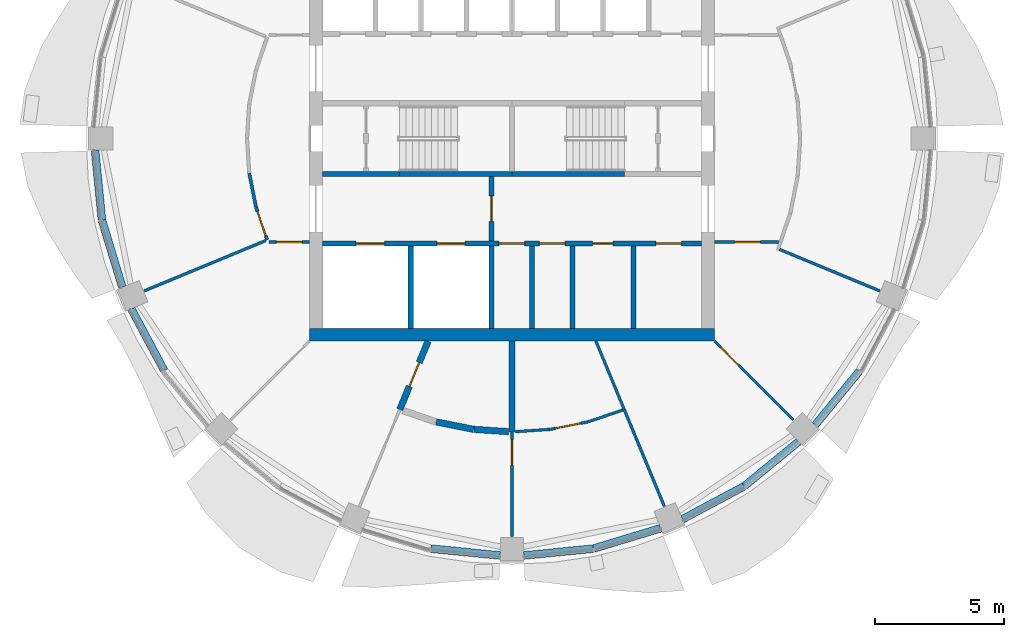
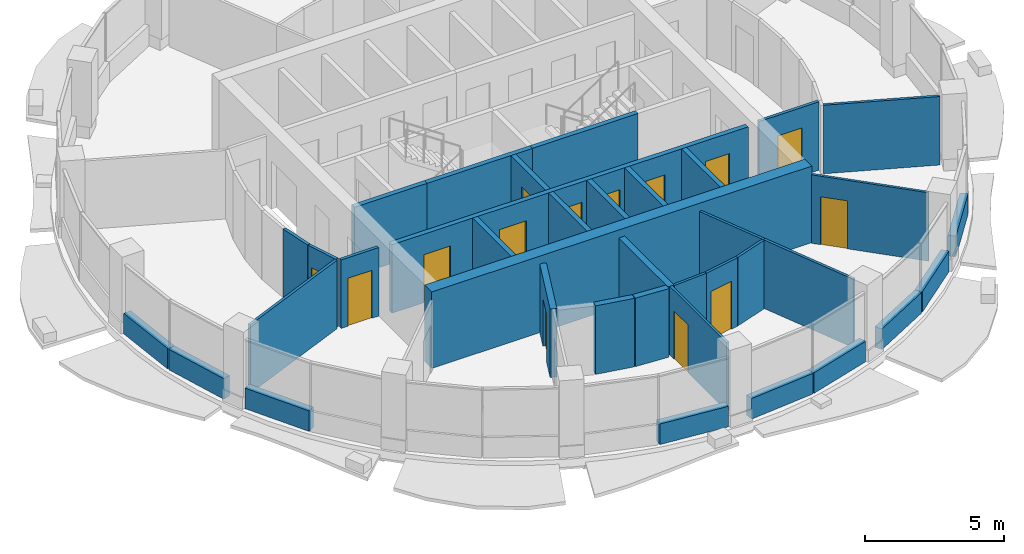
# One storey, part 8 of 15: 37 walls, 14 doors, 14 openings.
"""IFC4 building model written with IfcOpenShell, lengths in metres."""

from ifc_helpers import new_model, si_unit, direction, frame, frame_2d, origin, place, context, subcontext, project, spatial, rectangle, extrude, material, layer, layer_set, type_object, element, fill, save


model = new_model("IFC4")

# Units and contexts
model_context = context("Model", 3, precision=1e-05, world=origin(), true_north=direction((0.0, 1.0)))
body_context = subcontext(model_context, "Body", "Model", "MODEL_VIEW")
ifc_project = project(units=[si_unit("LENGTHUNIT", "METRE"), si_unit("AREAUNIT", "SQUARE_METRE"), si_unit("VOLUMEUNIT", "CUBIC_METRE"), si_unit("PLANEANGLEUNIT", "RADIAN"), si_unit("MASSUNIT", "GRAM", prefix="KILO")], contexts=[model_context])

# Site, building, storey
site_placement = place(None, origin())
site = spatial("IfcSite", under=ifc_project, at=site_placement, CompositionType="ELEMENT")
building_placement = place(site_placement, origin())
building = spatial("IfcBuilding", under=site, at=building_placement, Name="Polderwave Tower", CompositionType="ELEMENT")
storey_placement = place(building_placement, frame((0.0, 0.0, 207.75)))
storey = spatial("IfcBuildingStorey", under=building, at=storey_placement, Name="L56", CompositionType="ELEMENT", Elevation=207.75)

# Walls
ifc_material_1 = material(Name="Concrete C60/75", Category="concrete")
ifc_layer_1 = layer(ifc_material_1, 0.5)
ifc_layer_set_1 = layer_set([ifc_layer_1], Name="CORE WALL 500 C60/75")
wall_type_1 = type_object("IfcWallType", Name="CORE WALL 500 C60/75", PredefinedType="SHEAR", material=ifc_layer_set_1)
wall_1_placement = place(storey_placement, frame((-7.8740234375, -7.6240234375, 0.0), z_axis=(0.0, 0.0, 1.0), x_axis=(1.0, 0.0, 0.0)))
element("IfcWall", 1, at=wall_1_placement, inside=storey, type_object=wall_type_1, Name="ST-CORE-L56-S", PredefinedType="SHEAR", context=body_context, shape_type="SweptSolid", body=[
    extrude(rectangle(XDim=15.748046875, YDim=0.5, at=frame_2d((7.8740234375, 0.0))), origin(), (0.0, 0.0, 1.0), 3.35009765625),
])
ifc_material_2 = material(Name="Concrete C50/60 (board-marked)", Category="concrete")
ifc_layer_2 = layer(ifc_material_2, 0.300048828125)
ifc_layer_set_2 = layer_set([ifc_layer_2], Name="Concrete spandrel upstand C50/60")
wall_type_2 = type_object("IfcWallType", Name="Concrete spandrel upstand C50/60", PredefinedType="SOLIDWALL", material=ifc_layer_set_2)
wall_2_placement = place(storey_placement, frame((-16.20458984375, -0.4638671875, 0.0), z_axis=(0.0, 0.0, 1.0), x_axis=(0.098046581117, -0.995181826568, 0.0)))
element("IfcWall", 2, at=wall_2_placement, inside=storey, type_object=wall_type_2, Name="Spandrel L56 9a", PredefinedType="SOLIDWALL", context=body_context, shape_type="SweptSolid", body=[
    extrude(rectangle(XDim=2.7041015625, YDim=0.300048828125, at=frame_2d((1.35205078125, 0.0))), origin(), (0.0, 0.0, 1.0), 0.89990234375),
])
wall_3_placement = place(storey_placement, frame((-15.93359375, -3.184326171875, 0.0), z_axis=(0.0, 0.0, 1.0), x_axis=(0.290608505958, -0.956842043529, 0.0)))
element("IfcWall", 3, at=wall_3_placement, inside=storey, type_object=wall_type_2, Name="Spandrel L56 9b", PredefinedType="SOLIDWALL", context=body_context, shape_type="SweptSolid", body=[
    extrude(rectangle(XDim=2.705078125, YDim=0.300048828125, at=frame_2d((1.3525390625, 0.0))), origin(), (0.0, 0.0, 1.0), 0.89990234375),
])
for number, where, z_axis, x_axis, name in (
    (4, (-14.79296875, -6.630126953125, 0.0), (0.0, 0.0, 1.0), (0.471459599189, -0.881887660835, 0.0), "Spandrel L56 10a"),
    (5, (-3.155029296875, -15.939453125, 0.0), (0.0, 0.0, 1.0), (0.995181826568, -0.098046581117, 0.0), "Spandrel L56 12b"),
    (6, (0.4638671875, -16.20458984375, 0.0), (0.0, 0.0, 1.0), (0.995181826568, 0.098046581117, 0.0), "Spandrel L56 13a"),
):
    element("IfcWall", number, at=place(storey_placement, frame(where, z_axis=z_axis, x_axis=x_axis)), inside=storey, type_object=wall_type_2, Name=name, PredefinedType="SOLIDWALL", context=body_context, shape_type="SweptSolid", body=[
        extrude(rectangle(XDim=2.7041015625, YDim=0.300048828125, at=frame_2d((1.35205078125, 0.0))), origin(), (0.0, 0.0, 1.0), 0.89990234375),
    ])
wall_4_placement = place(storey_placement, frame((3.184326171875, -15.93359375, 0.0), z_axis=(0.0, 0.0, 1.0), x_axis=(0.956842043529, 0.290608505958, 0.0)))
element("IfcWall", 7, at=wall_4_placement, inside=storey, type_object=wall_type_2, Name="Spandrel L56 13b", PredefinedType="SOLIDWALL", context=body_context, shape_type="SweptSolid", body=[
    extrude(rectangle(XDim=2.705078125, YDim=0.300048828125, at=frame_2d((1.3525390625, 0.0))), origin(), (0.0, 0.0, 1.0), 0.89990234375),
])
for number, where, z_axis, x_axis, name in (
    (8, (6.630126953125, -14.79296875, 0.0), (0.0, 0.0, 1.0), (0.881887660835, 0.471459599189, 0.0), "Spandrel L56 14a"),
    (9, (9.03955078125, -13.50146484375, 0.0), (0.0, 0.0, 1.0), (0.773200498897, 0.634161642253, 0.0), "Spandrel L56 14b"),
    (10, (11.78662109375, -11.13037109375, 0.0), (0.0, 0.0, 1.0), (0.634161642253, 0.773200498897, 0.0), "Spandrel L56 15a"),
):
    element("IfcWall", number, at=place(storey_placement, frame(where, z_axis=z_axis, x_axis=x_axis)), inside=storey, type_object=wall_type_2, Name=name, PredefinedType="SOLIDWALL", context=body_context, shape_type="SweptSolid", body=[
        extrude(rectangle(XDim=2.7041015625, YDim=0.300048828125, at=frame_2d((1.35205078125, 0.0))), origin(), (0.0, 0.0, 1.0), 0.89990234375),
    ])

# Wall, opening, door
ifc_material_3 = material(Name="Gypsum board partition")
ifc_layer_3 = layer(ifc_material_3, 0.199951171875)
ifc_layer_set_3 = layer_set([ifc_layer_3], Name="Core room partition 200")
wall_type_3 = type_object("IfcWallType", Name="Core room partition 200", PredefinedType="PARTITIONING", material=ifc_layer_set_3)
wall_5_placement = place(storey_placement, frame((-0.800048828125, -3.97412109375, 0.0), z_axis=(0.0, 0.0, 1.0), x_axis=(0.0, 1.0, 0.0)))
wall_5 = element("IfcWall", 11, at=wall_5_placement, inside=storey, type_object=wall_type_3, Name="L56 fire-fighting lobby wall", PredefinedType="PARTITIONING", context=body_context, shape_type="SweptSolid", body=[
    extrude(rectangle(XDim=2.4990234375, YDim=0.199951171875, at=frame_2d((1.24951171875, 0.0))), origin(), (0.0, 0.0, 1.0), 3.0),
])
opening_1_placement = place(wall_5_placement, frame((0.74951171875, 0.0, 0.0)))
opening_1 = element("IfcOpeningElement", 12, at=opening_1_placement, cuts=wall_5, Name="Opening L56-D14", PredefinedType="OPENING", context=body_context, shape_type="SweptSolid", body=[
    extrude(rectangle(XDim=1.0, YDim=2.10009765625, at=frame_2d((0.5, 1.050048828125))), frame((0.0, 0.10986328125, 0.0), z_axis=(0.0, -1.0, 0.0), x_axis=(1.0, 0.0, 0.0)), (0.0, 0.0, 1.0), 0.219970703125),
])
ifc_material_4 = material(Name="Steel fire door", Category="steel")
door_type_1 = type_object("IfcDoorType", Name="Lobby fire door 1000", OperationType="NOTDEFINED", PredefinedType="DOOR", material=ifc_material_4)
door_1_placement = place(opening_1_placement, frame((1.0, 0.0, 0.0), z_axis=(0.0, 0.0, 1.0), x_axis=(-1.0, 0.0, 0.0)))
door_1 = element("IfcDoor", 13, at=door_1_placement, inside=storey, type_object=door_type_1, Name="Fire-fighting lobby door", OperationType="SINGLE_SWING_LEFT", OverallHeight=2.10009765625, OverallWidth=1.0, PredefinedType="DOOR", context=body_context, shape_type="SweptSolid", body=[
    extrude(rectangle(XDim=1.0, YDim=2.10009765625, at=frame_2d((0.5, 1.050048828125))), frame((0.0, 0.02490234375, 0.0), z_axis=(0.0, -1.0, 0.0), x_axis=(1.0, 0.0, 0.0)), (0.0, 0.0, 1.0), 0.050048828125),
])
fill(opening_1, door_1)

# Walls
for number, where, z_axis, x_axis, name in (
    (14, (0.77685546875, -7.3740234375, 0.0), (0.0, 0.0, 1.0), (0.0, 1.0, 0.0), "L56 room partition S1"),
    (15, (2.353515625, -7.3740234375, 0.0), (0.0, 0.0, 1.0), (0.0, 1.0, 0.0), "L56 room partition S2"),
    (16, (4.717041015625, -7.3740234375, 0.0), (0.0, 0.0, 1.0), (0.0, 1.0, 0.0), "L56 room partition S3"),
):
    element("IfcWall", number, at=place(storey_placement, frame(where, z_axis=z_axis, x_axis=x_axis)), inside=storey, type_object=wall_type_3, Name=name, PredefinedType="PARTITIONING", context=body_context, shape_type="SweptSolid", body=[
        extrude(rectangle(XDim=3.199951171875, YDim=0.199951171875, at=frame_2d((1.60009765625, 0.0))), origin(), (0.0, 0.0, 1.0), 3.0),
    ])

# Wall, openings, doors
ifc_material_5 = material(Name="Concrete C50/60", Category="concrete")
ifc_layer_4 = layer(ifc_material_5, 0.199951171875)
ifc_layer_set_4 = layer_set([ifc_layer_4], Name="Core web wall 200")
wall_type_4 = type_object("IfcWallType", Name="Core web wall 200", PredefinedType="SHEAR", material=ifc_layer_set_4)
wall_6_placement = place(storey_placement, frame((-7.3740234375, -4.073974609375, 0.0), z_axis=(0.0, 0.0, 1.0), x_axis=(1.0, 0.0, 0.0)))
wall_6 = element("IfcWall", 17, at=wall_6_placement, inside=storey, type_object=wall_type_4, Name="L56 south front wall", PredefinedType="SHEAR", context=body_context, shape_type="SweptSolid", body=[
    extrude(rectangle(XDim=14.748046875, YDim=0.199951171875, at=frame_2d((7.3740234375, 0.0))), origin(), (0.0, 0.0, 1.0), 3.0),
])
opening_2_placement = place(wall_6_placement, frame((1.318603515625, 0.0, 0.0)))
opening_2 = element("IfcOpeningElement", 18, at=opening_2_placement, cuts=wall_6, Name="Opening L56-D01", PredefinedType="OPENING", context=body_context, shape_type="SweptSolid", body=[
    extrude(rectangle(XDim=1.10009765625, YDim=2.10009765625, at=frame_2d((0.550048828125, 1.050048828125))), frame((0.0, 0.10986328125, 0.0), z_axis=(0.0, -1.0, 0.0), x_axis=(1.0, 0.0, 0.0)), (0.0, 0.0, 1.0), 0.219970703125),
])
opening_3_placement = place(wall_6_placement, frame((4.45556640625, 0.0, 0.0)))
opening_3 = element("IfcOpeningElement", 19, at=opening_3_placement, cuts=wall_6, Name="Opening L56-D02", PredefinedType="OPENING", context=body_context, shape_type="SweptSolid", body=[
    extrude(rectangle(XDim=1.10009765625, YDim=2.10009765625, at=frame_2d((0.550048828125, 1.050048828125))), frame((0.0, 0.10986328125, 0.0), z_axis=(0.0, -1.0, 0.0), x_axis=(1.0, 0.0, 0.0)), (0.0, 0.0, 1.0), 0.219970703125),
])
opening_4_placement = place(wall_6_placement, frame((6.8623046875, 0.0, 0.0)))
opening_4 = element("IfcOpeningElement", 20, at=opening_4_placement, cuts=wall_6, Name="Opening L56-D15", PredefinedType="OPENING", context=body_context, shape_type="SweptSolid", body=[
    extrude(rectangle(XDim=1.0, YDim=2.10009765625, at=frame_2d((0.5, 1.050048828125))), frame((0.0, 0.10986328125, 0.0), z_axis=(0.0, -1.0, 0.0), x_axis=(1.0, 0.0, 0.0)), (0.0, 0.0, 1.0), 0.219970703125),
])
opening_5_placement = place(wall_6_placement, frame((8.439208984375, 0.0, 0.0)))
opening_5 = element("IfcOpeningElement", 21, at=opening_5_placement, cuts=wall_6, Name="Opening L56-D16", PredefinedType="OPENING", context=body_context, shape_type="SweptSolid", body=[
    extrude(rectangle(XDim=1.0, YDim=2.10009765625, at=frame_2d((0.5, 1.050048828125))), frame((0.0, 0.10986328125, 0.0), z_axis=(0.0, -1.0, 0.0), x_axis=(1.0, 0.0, 0.0)), (0.0, 0.0, 1.0), 0.219970703125),
])
opening_6_placement = place(wall_6_placement, frame((10.50927734375, 0.0, 0.0)))
opening_6 = element("IfcOpeningElement", 22, at=opening_6_placement, cuts=wall_6, Name="Opening L56-D17", PredefinedType="OPENING", context=body_context, shape_type="SweptSolid", body=[
    extrude(rectangle(XDim=0.800048828125, YDim=2.10009765625, at=frame_2d((0.39990234375, 1.050048828125))), frame((0.0, 0.10986328125, 0.0), z_axis=(0.0, -1.0, 0.0), x_axis=(1.0, 0.0, 0.0)), (0.0, 0.0, 1.0), 0.219970703125),
])
opening_7_placement = place(wall_6_placement, frame((12.969482421875, 0.0, 0.0)))
opening_7 = element("IfcOpeningElement", 23, at=opening_7_placement, cuts=wall_6, Name="Opening L56-D18", PredefinedType="OPENING", context=body_context, shape_type="SweptSolid", body=[
    extrude(rectangle(XDim=1.0, YDim=2.10009765625, at=frame_2d((0.5, 1.050048828125))), frame((0.0, 0.10986328125, 0.0), z_axis=(0.0, -1.0, 0.0), x_axis=(1.0, 0.0, 0.0)), (0.0, 0.0, 1.0), 0.219970703125),
])
ifc_material_6 = material(Name="Timber door leaf", Category="wood")
door_type_2 = type_object("IfcDoorType", Name="Accessible WC door 1000", OperationType="NOTDEFINED", PredefinedType="DOOR", material=ifc_material_6)
door_2_placement = place(opening_4_placement, frame((1.0, 0.0, 0.0), z_axis=(0.0, 0.0, 1.0), x_axis=(-1.0, 0.0, 0.0)))
door_2 = element("IfcDoor", 24, at=door_2_placement, inside=storey, type_object=door_type_2, Name="Accessible WC door", OperationType="SINGLE_SWING_RIGHT", OverallHeight=2.10009765625, OverallWidth=1.0, PredefinedType="DOOR", context=body_context, shape_type="SweptSolid", body=[
    extrude(rectangle(XDim=1.0, YDim=2.10009765625, at=frame_2d((0.5, 1.050048828125))), frame((0.0, 0.02490234375, 0.0), z_axis=(0.0, -1.0, 0.0), x_axis=(1.0, 0.0, 0.0)), (0.0, 0.0, 1.0), 0.050048828125),
])
fill(opening_4, door_2)
ifc_material_7 = material(Name="Stainless steel", Category="steel")
door_type_3 = type_object("IfcDoorType", Name="Fire-fighting lift landing door 1100", OperationType="DOUBLE_DOOR_SLIDING", PredefinedType="DOOR", material=ifc_material_7)
door_3_placement = place(opening_2_placement, origin())
door_3 = element("IfcDoor", 25, at=door_3_placement, inside=storey, type_object=door_type_3, Name="Fire-fighting lift FF1 landing door", OperationType="DOUBLE_DOOR_SLIDING", OverallHeight=2.10009765625, OverallWidth=1.10009765625, PredefinedType="DOOR", context=body_context, shape_type="SweptSolid", body=[
    extrude(rectangle(XDim=1.10009765625, YDim=2.10009765625, at=frame_2d((0.550048828125, 1.050048828125))), frame((0.0, 0.02490234375, 0.0), z_axis=(0.0, -1.0, 0.0), x_axis=(1.0, 0.0, 0.0)), (0.0, 0.0, 1.0), 0.050048828125),
])
fill(opening_2, door_3)
door_4_placement = place(opening_3_placement, origin())
door_4 = element("IfcDoor", 26, at=door_4_placement, inside=storey, type_object=door_type_3, Name="Fire-fighting lift FF2 landing door", OperationType="DOUBLE_DOOR_SLIDING", OverallHeight=2.10009765625, OverallWidth=1.10009765625, PredefinedType="DOOR", context=body_context, shape_type="SweptSolid", body=[
    extrude(rectangle(XDim=1.10009765625, YDim=2.10009765625, at=frame_2d((0.550048828125, 1.050048828125))), frame((0.0, 0.02490234375, 0.0), z_axis=(0.0, -1.0, 0.0), x_axis=(1.0, 0.0, 0.0)), (0.0, 0.0, 1.0), 0.050048828125),
])
fill(opening_3, door_4)
door_type_4 = type_object("IfcDoorType", Name="Riser door 800", OperationType="NOTDEFINED", PredefinedType="DOOR", material=ifc_material_4)
door_5_placement = place(opening_6_placement, origin())
door_5 = element("IfcDoor", 27, at=door_5_placement, inside=storey, type_object=door_type_4, Name="Electrical room door", OperationType="SINGLE_SWING_RIGHT", OverallHeight=2.10009765625, OverallWidth=0.800048828125, PredefinedType="DOOR", context=body_context, shape_type="SweptSolid", body=[
    extrude(rectangle(XDim=0.800048828125, YDim=2.10009765625, at=frame_2d((0.39990234375, 1.050048828125))), frame((0.0, 0.02490234375, 0.0), z_axis=(0.0, -1.0, 0.0), x_axis=(1.0, 0.0, 0.0)), (0.0, 0.0, 1.0), 0.050048828125),
])
fill(opening_6, door_5)
door_type_5 = type_object("IfcDoorType", Name="Room door 1000", OperationType="NOTDEFINED", PredefinedType="DOOR", material=ifc_material_6)
door_6_placement = place(opening_5_placement, frame((1.0, 0.0, 0.0), z_axis=(0.0, 0.0, 1.0), x_axis=(-1.0, 0.0, 0.0)))
door_6 = element("IfcDoor", 28, at=door_6_placement, inside=storey, type_object=door_type_5, Name="Staff WC door", OperationType="SINGLE_SWING_LEFT", OverallHeight=2.10009765625, OverallWidth=1.0, PredefinedType="DOOR", context=body_context, shape_type="SweptSolid", body=[
    extrude(rectangle(XDim=1.0, YDim=2.10009765625, at=frame_2d((0.5, 1.050048828125))), frame((0.0, 0.02490234375, 0.0), z_axis=(0.0, -1.0, 0.0), x_axis=(1.0, 0.0, 0.0)), (0.0, 0.0, 1.0), 0.050048828125),
])
fill(opening_5, door_6)
door_7_placement = place(opening_7_placement, frame((1.0, 0.0, 0.0), z_axis=(0.0, 0.0, 1.0), x_axis=(-1.0, 0.0, 0.0)))
door_7 = element("IfcDoor", 29, at=door_7_placement, inside=storey, type_object=door_type_5, Name="Store door", OperationType="SINGLE_SWING_LEFT", OverallHeight=2.10009765625, OverallWidth=1.0, PredefinedType="DOOR", context=body_context, shape_type="SweptSolid", body=[
    extrude(rectangle(XDim=1.0, YDim=2.10009765625, at=frame_2d((0.5, 1.050048828125))), frame((0.0, 0.02490234375, 0.0), z_axis=(0.0, -1.0, 0.0), x_axis=(1.0, 0.0, 0.0)), (0.0, 0.0, 1.0), 0.050048828125),
])
fill(opening_7, door_7)

# Walls
wall_7_placement = place(storey_placement, frame((-7.3740234375, -1.375, 0.0), z_axis=(0.0, 0.0, 1.0), x_axis=(1.0, 0.0, 0.0)))
element("IfcWall", 30, at=wall_7_placement, inside=storey, type_object=wall_type_4, Name="L56 south stair wall 1", PredefinedType="SHEAR", context=body_context, shape_type="SweptSolid", body=[
    extrude(rectangle(XDim=3.0, YDim=0.199951171875, at=frame_2d((1.5, 0.0))), origin(), (0.0, 0.0, 1.0), 3.0),
])
for number, where, z_axis, x_axis, name in (
    (31, (-4.3740234375, -1.375, 0.0), (0.0, 0.0, 1.0), (1.0, 0.0, 0.0), "L56 south stair wall 2"),
    (32, (0.0, -1.375, 0.0), (0.0, 0.0, 1.0), (1.0, 0.0, 0.0), "L56 south stair wall 3"),
):
    element("IfcWall", number, at=place(storey_placement, frame(where, z_axis=z_axis, x_axis=x_axis)), inside=storey, type_object=wall_type_4, Name=name, PredefinedType="SHEAR", context=body_context, shape_type="SweptSolid", body=[
        extrude(rectangle(XDim=4.3740234375, YDim=0.199951171875, at=frame_2d((2.18701171875, 0.0))), origin(), (0.0, 0.0, 1.0), 3.0),
    ])

# Wall, opening, door
ifc_material_8 = material(Name="Fire-resisting board on steel studs", Category="steel")
ifc_layer_5 = layer(ifc_material_8, 0.125)
ifc_layer_set_5 = layer_set([ifc_layer_5], Name="Corridor wall 125 mm EI 60")
wall_type_5 = type_object("IfcWallType", Name="Corridor wall 125 mm EI 60", PredefinedType="PARTITIONING", material=ifc_layer_set_5)
wall_8_placement = place(storey_placement, frame((10.34912109375, -4.0244140625, 0.0), z_axis=(0.0, 0.0, 1.0), x_axis=(-1.0, 0.0, 0.0)))
wall_8 = element("IfcWall", 33, at=wall_8_placement, inside=storey, type_object=wall_type_5, Name="IN-L56-W008", PredefinedType="PARTITIONING", context=body_context, shape_type="SweptSolid", body=[
    extrude(rectangle(XDim=2.47509765625, YDim=0.125, at=frame_2d((1.237548828125, 0.0))), origin(), (0.0, 0.0, 1.0), 3.0),
])
opening_8_placement = place(wall_8_placement, frame((0.699951171875, 0.0, 0.0)))
opening_8 = element("IfcOpeningElement", 34, at=opening_8_placement, cuts=wall_8, Name="Opening L56-D52", PredefinedType="OPENING", context=body_context, shape_type="SweptSolid", body=[
    extrude(rectangle(XDim=1.0, YDim=2.10009765625, at=frame_2d((0.5, 1.050048828125))), frame((0.0, 0.072509765625, 0.0), z_axis=(0.0, -1.0, 0.0), x_axis=(1.0, 0.0, 0.0)), (0.0, 0.0, 1.0), 0.14501953125),
])
ifc_material_9 = material(Name="Timber fire door leaf", Category="wood")
door_type_6 = type_object("IfcDoorType", Name="Fire door FD30S 1000 x 2100", OperationType="NOTDEFINED", PredefinedType="DOOR", material=ifc_material_9)
door_8_placement = place(opening_8_placement, origin())
door_8 = element("IfcDoor", 35, at=door_8_placement, inside=storey, type_object=door_type_6, Name="Door L56-D52", OperationType="SINGLE_SWING_LEFT", OverallHeight=2.10009765625, OverallWidth=1.0, PredefinedType="DOOR", context=body_context, shape_type="SweptSolid", body=[
    extrude(rectangle(XDim=1.0, YDim=2.10009765625, at=frame_2d((0.5, 1.050048828125))), frame((0.0, 0.02490234375, 0.0), z_axis=(0.0, -1.0, 0.0), x_axis=(1.0, 0.0, 0.0)), (0.0, 0.0, 1.0), 0.050048828125),
])
fill(opening_8, door_8)

# Wall
wall_9_placement = place(storey_placement, frame((-9.94970703125, -2.661865234375, 0.0), z_axis=(0.0, 0.0, 1.0), x_axis=(-0.195239630967, 0.980755569191, 0.0)))
element("IfcWall", 36, at=wall_9_placement, inside=storey, type_object=wall_type_5, Name="IN-L56-W013", PredefinedType="PARTITIONING", context=body_context, shape_type="SweptSolid", body=[
    extrude(rectangle(XDim=1.33935546875, YDim=0.125, at=frame_2d((0.669677734375, 0.0))), origin(), (0.0, 0.0, 1.0), 3.0),
])

# Wall, opening, door
wall_10_placement = place(storey_placement, frame((-9.51611328125, -3.941650390625, 0.0), z_axis=(0.0, 0.0, 1.0), x_axis=(-0.321348735565, 0.946960923244, 0.0)))
wall_10 = element("IfcWall", 37, at=wall_10_placement, inside=storey, type_object=wall_type_5, Name="IN-L56-W015", PredefinedType="PARTITIONING", context=body_context, shape_type="SweptSolid", body=[
    extrude(rectangle(XDim=1.34326171875, YDim=0.125, at=frame_2d((0.671630859375, 0.0))), origin(), (0.0, 0.0, 1.0), 3.0),
])
opening_9_placement = place(wall_10_placement, frame((0.171630859375, 0.0, 0.0)))
opening_9 = element("IfcOpeningElement", 38, at=opening_9_placement, cuts=wall_10, Name="Opening L56-D54", PredefinedType="OPENING", context=body_context, shape_type="SweptSolid", body=[
    extrude(rectangle(XDim=1.0, YDim=2.10009765625, at=frame_2d((0.5, 1.050048828125))), frame((0.0, 0.072509765625, 0.0), z_axis=(0.0, -1.0, 0.0), x_axis=(1.0, 0.0, 0.0)), (0.0, 0.0, 1.0), 0.14501953125),
])
door_9_placement = place(opening_9_placement, origin())
door_9 = element("IfcDoor", 39, at=door_9_placement, inside=storey, type_object=door_type_6, Name="Door L56-D54", OperationType="SINGLE_SWING_LEFT", OverallHeight=2.10009765625, OverallWidth=1.0, PredefinedType="DOOR", context=body_context, shape_type="SweptSolid", body=[
    extrude(rectangle(XDim=1.0, YDim=2.10009765625, at=frame_2d((0.5, 1.050048828125))), frame((0.0, 0.02490234375, 0.0), z_axis=(0.0, -1.0, 0.0), x_axis=(1.0, 0.0, 0.0)), (0.0, 0.0, 1.0), 0.050048828125),
])
fill(opening_9, door_9)

wall_11_placement = place(storey_placement, frame((-7.8740234375, -4.0244140625, 0.0), z_axis=(0.0, 0.0, 1.0), x_axis=(-1.0, 0.0, 0.0)))
wall_11 = element("IfcWall", 40, at=wall_11_placement, inside=storey, type_object=wall_type_5, Name="IN-L56-W016", PredefinedType="PARTITIONING", context=body_context, shape_type="SweptSolid", body=[
    extrude(rectangle(XDim=1.562255859375, YDim=0.125, at=frame_2d((0.78125, 0.0))), origin(), (0.0, 0.0, 1.0), 3.0),
])
opening_10_placement = place(wall_11_placement, frame((0.281005859375, 0.0, 0.0)))
opening_10 = element("IfcOpeningElement", 41, at=opening_10_placement, cuts=wall_11, Name="Opening L56-D55", PredefinedType="OPENING", context=body_context, shape_type="SweptSolid", body=[
    extrude(rectangle(XDim=1.0, YDim=2.10009765625, at=frame_2d((0.5, 1.050048828125))), frame((0.0, 0.072509765625, 0.0), z_axis=(0.0, -1.0, 0.0), x_axis=(1.0, 0.0, 0.0)), (0.0, 0.0, 1.0), 0.14501953125),
])
door_10_placement = place(opening_10_placement, origin())
door_10 = element("IfcDoor", 42, at=door_10_placement, inside=storey, type_object=door_type_6, Name="Door L56-D55", OperationType="SINGLE_SWING_LEFT", OverallHeight=2.10009765625, OverallWidth=1.0, PredefinedType="DOOR", context=body_context, shape_type="SweptSolid", body=[
    extrude(rectangle(XDim=1.0, YDim=2.10009765625, at=frame_2d((0.5, 1.050048828125))), frame((0.0, 0.02490234375, 0.0), z_axis=(0.0, -1.0, 0.0), x_axis=(1.0, 0.0, 0.0)), (0.0, 0.0, 1.0), 0.050048828125),
])
fill(opening_10, door_10)

ifc_material_10 = material(Name="Plasterboard on steel studs", Category="steel")
ifc_layer_6 = layer(ifc_material_10, 0.10009765625)
ifc_layer_set_6 = layer_set([ifc_layer_6], Name="Partition 100 mm plasterboard on steel studs")
wall_type_6 = type_object("IfcWallType", Name="Partition 100 mm plasterboard on steel studs", PredefinedType="PARTITIONING", material=ifc_layer_set_6)
wall_12_placement = place(storey_placement, frame((0.0, -11.39990234375, 0.0), z_axis=(0.0, 0.0, 1.0), x_axis=(0.0, -1.0, 0.0)))
wall_12 = element("IfcWall", 43, at=wall_12_placement, inside=storey, type_object=wall_type_6, Name="IN-L56-W043", PredefinedType="PARTITIONING", context=body_context, shape_type="SweptSolid", body=[
    extrude(rectangle(XDim=4.070068359375, YDim=0.10009765625, at=frame_2d((2.03515625, 0.0))), origin(), (0.0, 0.0, 1.0), 3.0),
])
opening_11_placement = place(wall_12_placement, frame((0.300048828125, 0.0, 0.0)))
opening_11 = element("IfcOpeningElement", 44, at=opening_11_placement, cuts=wall_12, Name="Opening L56-D64", PredefinedType="OPENING", context=body_context, shape_type="SweptSolid", body=[
    extrude(rectangle(XDim=1.0, YDim=2.10009765625, at=frame_2d((0.5, 1.050048828125))), frame((0.0, 0.06005859375, 0.0), z_axis=(0.0, -1.0, 0.0), x_axis=(1.0, 0.0, 0.0)), (0.0, 0.0, 1.0), 0.1201171875),
])
ifc_material_11 = material(Name="Timber veneer door leaf", Category="wood")
door_type_7 = type_object("IfcDoorType", Name="Single door 1000 x 2100", OperationType="NOTDEFINED", PredefinedType="DOOR", material=ifc_material_11)
door_11_placement = place(opening_11_placement, origin())
door_11 = element("IfcDoor", 45, at=door_11_placement, inside=storey, type_object=door_type_7, Name="Door L56-D64", OperationType="SINGLE_SWING_LEFT", OverallHeight=2.10009765625, OverallWidth=1.0, PredefinedType="DOOR", context=body_context, shape_type="SweptSolid", body=[
    extrude(rectangle(XDim=1.0, YDim=2.10009765625, at=frame_2d((0.5, 1.050048828125))), frame((0.0, 0.02490234375, 0.0), z_axis=(0.0, -1.0, 0.0), x_axis=(1.0, 0.0, 0.0)), (0.0, 0.0, 1.0), 0.050048828125),
])
fill(opening_11, door_11)

wall_13_placement = place(storey_placement, frame((10.93896484375, -10.93896484375, 0.0), z_axis=(0.0, 0.0, 1.0), x_axis=(-0.707106781187, 0.707106781187, 0.0)))
wall_13 = element("IfcWall", 46, at=wall_13_placement, inside=storey, type_object=wall_type_6, Name="IN-L56-W049", PredefinedType="PARTITIONING", context=body_context, shape_type="SweptSolid", body=[
    extrude(rectangle(XDim=4.33447265625, YDim=0.10009765625, at=frame_2d((2.167236328125, 0.0))), origin(), (0.0, 0.0, 1.0), 3.0),
])
opening_12_placement = place(wall_13_placement, frame((3.0, 0.0, 0.0)))
opening_12 = element("IfcOpeningElement", 47, at=opening_12_placement, cuts=wall_13, Name="Opening L56-D66", PredefinedType="OPENING", context=body_context, shape_type="SweptSolid", body=[
    extrude(rectangle(XDim=1.0, YDim=2.10009765625, at=frame_2d((0.5, 1.050048828125))), frame((0.0, 0.06005859375, 0.0), z_axis=(0.0, -1.0, 0.0), x_axis=(1.0, 0.0, 0.0)), (0.0, 0.0, 1.0), 0.1201171875),
])
door_12_placement = place(opening_12_placement, origin())
door_12 = element("IfcDoor", 48, at=door_12_placement, inside=storey, type_object=door_type_7, Name="Door L56-D66", OperationType="SINGLE_SWING_RIGHT", OverallHeight=2.10009765625, OverallWidth=1.0, PredefinedType="DOOR", context=body_context, shape_type="SweptSolid", body=[
    extrude(rectangle(XDim=1.0, YDim=2.10009765625, at=frame_2d((0.5, 1.050048828125))), frame((0.0, 0.02490234375, 0.0), z_axis=(0.0, -1.0, 0.0), x_axis=(1.0, 0.0, 0.0)), (0.0, 0.0, 1.0), 0.050048828125),
])
fill(opening_12, door_12)

# Wall
ifc_material_12 = material(Name="Moisture-resistant board on steel studs, tiled", Category="steel")
ifc_layer_7 = layer(ifc_material_12, 0.10498046875)
ifc_layer_set_7 = layer_set([ifc_layer_7], Name="Partition 105 mm wet room board and tile")
wall_type_7 = type_object("IfcWallType", Name="Partition 105 mm wet room board and tile", PredefinedType="PARTITIONING", material=ifc_layer_set_7)
wall_14_placement = place(storey_placement, frame((1.484619140625, -11.302734375, 0.0), z_axis=(0.0, 0.0, 1.0), x_axis=(-0.997860024345, -0.065386327428, 0.0)))
element("IfcWall", 49, at=wall_14_placement, inside=storey, type_object=wall_type_7, Name="IN-L56-W044", PredefinedType="PARTITIONING", context=body_context, shape_type="SweptSolid", body=[
    extrude(rectangle(XDim=1.359130859375, YDim=0.10498046875, at=frame_2d((0.6796875, 0.0))), origin(), (0.0, 0.0, 1.0), 3.0),
])

# Wall, opening, door
wall_15_placement = place(storey_placement, frame((1.491455078125, -11.3017578125, 0.0), z_axis=(0.0, 0.0, 1.0), x_axis=(0.980782621603, 0.195103688229, 0.0)))
wall_15 = element("IfcWall", 50, at=wall_15_placement, inside=storey, type_object=wall_type_7, Name="IN-L56-W045", PredefinedType="PARTITIONING", context=body_context, shape_type="SweptSolid", body=[
    extrude(rectangle(XDim=1.484130859375, YDim=0.10498046875, at=frame_2d((0.7421875, 0.0))), origin(), (0.0, 0.0, 1.0), 3.0),
])
opening_13_placement = place(wall_15_placement, frame((0.199951171875, 0.0, 0.0)))
opening_13 = element("IfcOpeningElement", 51, at=opening_13_placement, cuts=wall_15, Name="Opening L56-D65", PredefinedType="OPENING", context=body_context, shape_type="SweptSolid", body=[
    extrude(rectangle(XDim=1.0, YDim=2.10009765625, at=frame_2d((0.5, 1.050048828125))), frame((0.0, 0.0625, 0.0), z_axis=(0.0, -1.0, 0.0), x_axis=(1.0, 0.0, 0.0)), (0.0, 0.0, 1.0), 0.125),
])
door_13_placement = place(opening_13_placement, origin())
door_13 = element("IfcDoor", 52, at=door_13_placement, inside=storey, type_object=door_type_7, Name="Door L56-D65", OperationType="SINGLE_SWING_LEFT", OverallHeight=2.10009765625, OverallWidth=1.0, PredefinedType="DOOR", context=body_context, shape_type="SweptSolid", body=[
    extrude(rectangle(XDim=1.0, YDim=2.10009765625, at=frame_2d((0.5, 1.050048828125))), frame((0.0, 0.02490234375, 0.0), z_axis=(0.0, -1.0, 0.0), x_axis=(1.0, 0.0, 0.0)), (0.0, 0.0, 1.0), 0.050048828125),
])
fill(opening_13, door_13)

# Walls
wall_16_placement = place(storey_placement, frame((4.30712890625, -10.551025390625, 0.0), z_axis=(0.0, 0.0, 1.0), x_axis=(-0.946909066327, -0.321501508719, 0.0)))
element("IfcWall", 53, at=wall_16_placement, inside=storey, type_object=wall_type_7, Name="IN-L56-W046", PredefinedType="PARTITIONING", context=body_context, shape_type="SweptSolid", body=[
    extrude(rectangle(XDim=1.42919921875, YDim=0.10498046875, at=frame_2d((0.714599609375, 0.0))), origin(), (0.0, 0.0, 1.0), 3.0),
])
wall_17_placement = place(storey_placement, frame((3.261474609375, -7.8740234375, 0.0), z_axis=(0.0, 0.0, 1.0), x_axis=(0.382686527355, -0.923878250519, 0.0)))
element("IfcWall", 54, at=wall_17_placement, inside=storey, type_object=wall_type_7, Name="IN-L56-W047", PredefinedType="PARTITIONING", context=body_context, shape_type="SweptSolid", body=[
    extrude(rectangle(XDim=2.877197265625, YDim=0.10498046875, at=frame_2d((1.4384765625, 0.0))), origin(), (0.0, 0.0, 1.0), 3.0),
])
ifc_material_13 = material(Name="Acoustic double plasterboard on steel studs", Category="steel")
ifc_layer_8 = layer(ifc_material_13, 0.110107421875)
ifc_layer_set_8 = layer_set([ifc_layer_8], Name="Partition 110 mm acoustic double board")
wall_type_8 = type_object("IfcWallType", Name="Partition 110 mm acoustic double board", PredefinedType="PARTITIONING", material=ifc_layer_set_8)
wall_18_placement = place(storey_placement, frame((14.29248046875, -5.920166015625, 0.0), z_axis=(0.0, 0.0, 1.0), x_axis=(-0.923877633043, 0.382688018055, 0.0)))
element("IfcWall", 55, at=wall_18_placement, inside=storey, type_object=wall_type_8, Name="IN-L56-W020", PredefinedType="PARTITIONING", context=body_context, shape_type="SweptSolid", body=[
    extrude(rectangle(XDim=4.211181640625, YDim=0.110107421875, at=frame_2d((2.10546875, 0.0))), origin(), (0.0, 0.0, 1.0), 3.0),
])
wall_19_placement = place(storey_placement, frame((-9.5771484375, -3.967041015625, 0.0), z_axis=(0.0, 0.0, 1.0), x_axis=(-0.923881574534, -0.382678502448, 0.0)))
element("IfcWall", 56, at=wall_19_placement, inside=storey, type_object=wall_type_8, Name="IN-L56-W035", PredefinedType="PARTITIONING", context=body_context, shape_type="SweptSolid", body=[
    extrude(rectangle(XDim=5.103759765625, YDim=0.110107421875, at=frame_2d((2.5517578125, 0.0))), origin(), (0.0, 0.0, 1.0), 3.0),
])
wall_20_placement = place(storey_placement, frame((4.362548828125, -10.5322265625, 0.0), z_axis=(0.0, 0.0, 1.0), x_axis=(0.382697907061, -0.923873536763, 0.0)))
element("IfcWall", 57, at=wall_20_placement, inside=storey, type_object=wall_type_8, Name="IN-L56-W048", PredefinedType="PARTITIONING", context=body_context, shape_type="SweptSolid", body=[
    extrude(rectangle(XDim=4.070068359375, YDim=0.110107421875, at=frame_2d((2.03515625, 0.0))), origin(), (0.0, 0.0, 1.0), 3.0),
])

# Wall, opening, door
ifc_material_14 = material(Name="Fire-resisting board on steel studs, mineral wool", Category="steel")
ifc_layer_9 = layer(ifc_material_14, 0.25)
ifc_layer_set_9 = layer_set([ifc_layer_9], Name="Plant room wall 250 mm EI 120")
wall_type_9 = type_object("IfcWallType", Name="Plant room wall 250 mm EI 120", PredefinedType="PARTITIONING", material=ifc_layer_set_9)
wall_21_placement = place(storey_placement, frame((-3.261474609375, -7.8740234375, 0.0), z_axis=(0.0, 0.0, 1.0), x_axis=(-0.382686527355, -0.923878250519, 0.0)))
wall_21 = element("IfcWall", 58, at=wall_21_placement, inside=storey, type_object=wall_type_9, Name="IN-L56-W037", PredefinedType="PARTITIONING", context=body_context, shape_type="SweptSolid", body=[
    extrude(rectangle(XDim=2.877197265625, YDim=0.25, at=frame_2d((1.4384765625, 0.0))), origin(), (0.0, 0.0, 1.0), 3.0),
])
opening_14_placement = place(wall_21_placement, frame((0.89990234375, 0.0, 0.0)))
opening_14 = element("IfcOpeningElement", 59, at=opening_14_placement, cuts=wall_21, Name="Opening L56-D62", PredefinedType="OPENING", context=body_context, shape_type="SweptSolid", body=[
    extrude(rectangle(XDim=1.0, YDim=2.10009765625, at=frame_2d((0.5, 1.050048828125))), frame((0.0, 0.135009765625, 0.0), z_axis=(0.0, -1.0, 0.0), x_axis=(1.0, 0.0, 0.0)), (0.0, 0.0, 1.0), 0.27001953125),
])
ifc_material_15 = material(Name="Steel plant door leaf", Category="steel")
door_type_8 = type_object("IfcDoorType", Name="Plant door FD60 1000 x 2100 steel", OperationType="NOTDEFINED", PredefinedType="DOOR", material=ifc_material_15)
door_14_placement = place(opening_14_placement, origin())
door_14 = element("IfcDoor", 60, at=door_14_placement, inside=storey, type_object=door_type_8, Name="Door L56-D62", OperationType="SINGLE_SWING_LEFT", OverallHeight=2.10009765625, OverallWidth=1.0, PredefinedType="DOOR", context=body_context, shape_type="SweptSolid", body=[
    extrude(rectangle(XDim=1.0, YDim=2.10009765625, at=frame_2d((0.5, 1.050048828125))), frame((0.0, 0.02490234375, 0.0), z_axis=(0.0, -1.0, 0.0), x_axis=(1.0, 0.0, 0.0)), (0.0, 0.0, 1.0), 0.050048828125),
])
fill(opening_14, door_14)

# Walls
wall_22_placement = place(storey_placement, frame((-1.49609375, -11.30078125, 0.0), z_axis=(0.0, 0.0, 1.0), x_axis=(-0.980796583917, 0.195033486809, 0.0)))
element("IfcWall", 61, at=wall_22_placement, inside=storey, type_object=wall_type_9, Name="IN-L56-W040", PredefinedType="PARTITIONING", context=body_context, shape_type="SweptSolid", body=[
    extrude(rectangle(XDim=1.474609375, YDim=0.25, at=frame_2d((0.7373046875, 0.0))), origin(), (0.0, 0.0, 1.0), 3.0),
])
wall_23_placement = place(storey_placement, frame((-0.13330078125, -11.391357421875, 0.0), z_axis=(0.0, 0.0, 1.0), x_axis=(-0.997852686239, 0.065498218027, 0.0)))
element("IfcWall", 62, at=wall_23_placement, inside=storey, type_object=wall_type_9, Name="IN-L56-W041", PredefinedType="PARTITIONING", context=body_context, shape_type="SweptSolid", body=[
    extrude(rectangle(XDim=1.349365234375, YDim=0.25, at=frame_2d((0.6748046875, 0.0))), origin(), (0.0, 0.0, 1.0), 3.0),
])
wall_24_placement = place(storey_placement, frame((0.0, -7.8740234375, 0.0), z_axis=(0.0, 0.0, 1.0), x_axis=(0.0, -1.0, 0.0)))
element("IfcWall", 63, at=wall_24_placement, inside=storey, type_object=wall_type_9, Name="IN-L56-W042", PredefinedType="PARTITIONING", context=body_context, shape_type="SweptSolid", body=[
    extrude(rectangle(XDim=3.52587890625, YDim=0.25, at=frame_2d((1.762939453125, 0.0))), origin(), (0.0, 0.0, 1.0), 3.0),
])
ifc_material_16 = material(Name="Gypsum shaft wall system")
ifc_layer_10 = layer(ifc_material_16, 0.199951171875)
ifc_layer_set_10 = layer_set([ifc_layer_10], Name="Shaft wall 200")
wall_type_10 = type_object("IfcWallType", Name="Shaft wall 200", PredefinedType="PARTITIONING", material=ifc_layer_set_10)
for number, where, z_axis, x_axis, name in (
    (64, (-3.93701171875, -7.3740234375, 0.0), (0.0, 0.0, 1.0), (0.0, 1.0, 0.0), "L56 fire-fighting shaft wall 1"),
    (65, (-0.800048828125, -7.3740234375, 0.0), (0.0, 0.0, 1.0), (0.0, 1.0, 0.0), "L56 fire-fighting shaft wall 2"),
):
    element("IfcWall", number, at=place(storey_placement, frame(where, z_axis=z_axis, x_axis=x_axis)), inside=storey, type_object=wall_type_10, Name=name, PredefinedType="PARTITIONING", context=body_context, shape_type="SweptSolid", body=[
        extrude(rectangle(XDim=3.199951171875, YDim=0.199951171875, at=frame_2d((1.60009765625, 0.0))), origin(), (0.0, 0.0, 1.0), 3.0),
    ])

save(model, "model.ifc")
